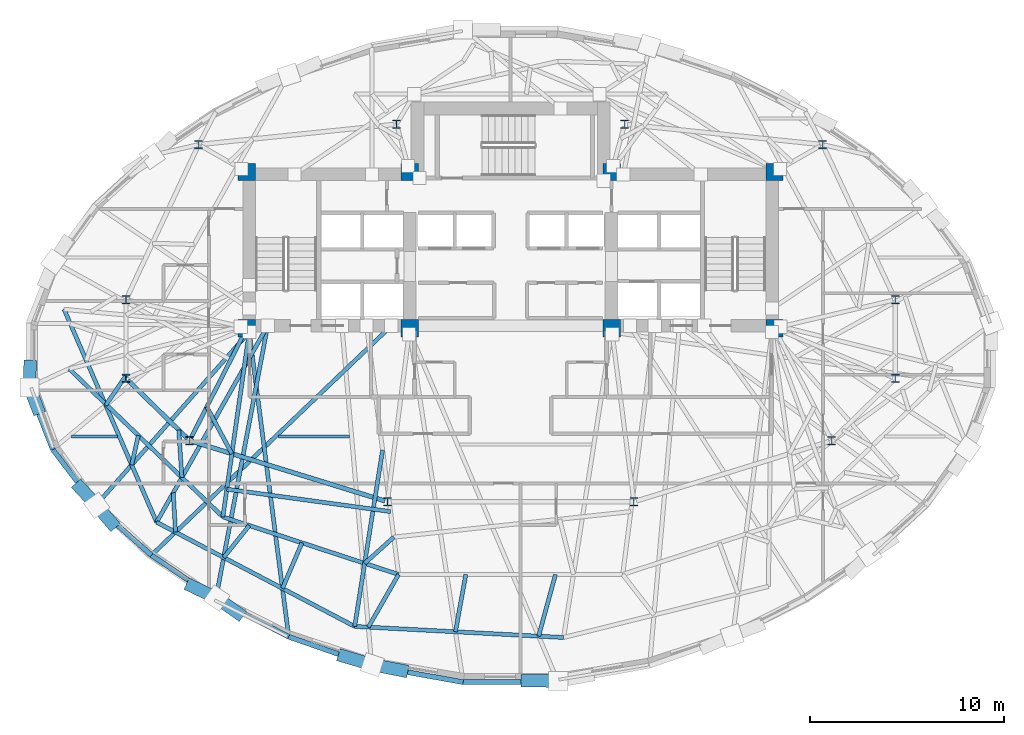
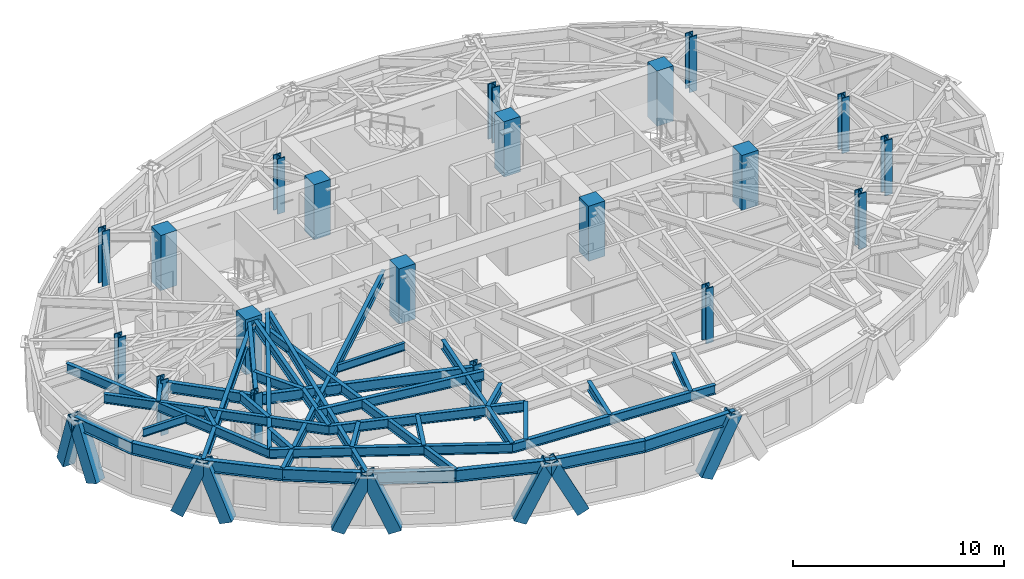
# One storey, part 1 of 14: 37 beams, 20 columns, 9 members.
"""IFC4 building model written with IfcOpenShell, lengths in metres."""

from ifc_helpers import new_model, si_unit, direction, frame, origin, origin_2d, place, context, subcontext, project, spatial, rectangle, hollow_rectangle, i_section, extrude, material, material_profile, profile_set, type_object, element, save


model = new_model("IFC4")

# Units and contexts
model_context = context("Model", 3, precision=1e-05, world=origin(), true_north=direction((0.0, 1.0)))
body_context = subcontext(model_context, "Body", "Model", "MODEL_VIEW")
ifc_project = project(units=[si_unit("LENGTHUNIT", "METRE"), si_unit("AREAUNIT", "SQUARE_METRE"), si_unit("VOLUMEUNIT", "CUBIC_METRE"), si_unit("PLANEANGLEUNIT", "RADIAN"), si_unit("MASSUNIT", "GRAM", prefix="KILO")], contexts=[model_context])

# Site, building, storey
site_placement = place(None, origin())
site = spatial("IfcSite", under=ifc_project, at=site_placement, CompositionType="ELEMENT")
building_placement = place(site_placement, origin())
building = spatial("IfcBuilding", under=site, at=building_placement, Name="Keldmark Tower", CompositionType="ELEMENT")
storey_placement = place(building_placement, frame((0.0, 0.0, 172.60009765625)))
storey = spatial("IfcBuildingStorey", under=building, at=storey_placement, Name="L47", CompositionType="ELEMENT", Elevation=172.60009765625)

# Columns
ifc_material_1 = material(Name="Concrete C50/60", Category="concrete")
ifc_material_profile_1 = material_profile(ifc_material_1, rectangle(XDim=0.89990234375, YDim=0.89990234375, at=origin_2d()), Name="RC900X900")
ifc_profile_set_1 = profile_set([ifc_material_profile_1], Name="Concrete C50/60")
column_type_1 = type_object("IfcColumnType", Name="Core Boundary Column RC900", PredefinedType="COLUMN", material=ifc_profile_set_1)
for number, where, z_axis, x_axis, name in (
    (1, (-13.60009765625, 1.39990234375, 0.0), (0.0, 0.0, 1.0), (1.0, 0.0, 0.0), "L47 Core Boundary Column CC-W1"),
    (2, (-13.60009765625, 9.449951171875, 0.0), (0.0, 0.0, 1.0), (1.0, 0.0, 0.0), "L47 Core Boundary Column CC-W2"),
    (3, (-5.199951171875, 1.39990234375, 0.0), (0.0, 0.0, 1.0), (1.0, 0.0, 0.0), "L47 Core Boundary Column CC-W3"),
    (4, (-5.199951171875, 9.449951171875, 0.0), (0.0, 0.0, 1.0), (1.0, 0.0, 0.0), "L47 Core Boundary Column CC-W4"),
    (5, (5.199951171875, 1.39990234375, 0.0), (0.0, 0.0, 1.0), (1.0, 0.0, 0.0), "L47 Core Boundary Column CC-E1"),
    (6, (5.199951171875, 9.449951171875, 0.0), (0.0, 0.0, 1.0), (1.0, 0.0, 0.0), "L47 Core Boundary Column CC-E2"),
    (7, (13.60009765625, 1.39990234375, 0.0), (0.0, 0.0, 1.0), (1.0, 0.0, 0.0), "L47 Core Boundary Column CC-E3"),
    (8, (13.60009765625, 9.449951171875, 0.0), (0.0, 0.0, 1.0), (1.0, 0.0, 0.0), "L47 Core Boundary Column CC-E4"),
):
    element("IfcColumn", number, at=place(storey_placement, frame(where, z_axis=z_axis, x_axis=x_axis)), inside=storey, type_object=column_type_1, Name=name, PredefinedType="COLUMN", context=body_context, shape_type="SweptSolid", body=[
        extrude(rectangle(XDim=0.89990234375, YDim=0.89990234375, at=origin_2d()), origin(), (0.0, 0.0, 1.0), 3.199951171875),
    ])
ifc_material_2 = material(Name="Steel ASTM A992 Grade 50", Category="steel")
ifc_material_profile_2 = material_profile(ifc_material_2, i_section(OverallWidth=0.412109375, OverallDepth=0.43505859375, WebThickness=0.035888671875, FlangeThickness=0.057373046875, at=origin_2d()), Name="W14X311")
ifc_profile_set_2 = profile_set([ifc_material_profile_2], Name="Steel ASTM A992 Grade 50")
column_type_2 = type_object("IfcColumnType", Name="Tower Gravity Column W14X311", PredefinedType="COLUMN", material=ifc_profile_set_2)
for number, where, z_axis, x_axis, name in (
    (9, (19.828369140625, 2.869140625, 0.0), (0.0, 0.0, 1.0), (1.0, 0.0, 0.0), "L47 Tower Gravity Column TC-E1"),
    (10, (16.08154296875, 10.861083984375, 0.0), (0.0, 0.0, 1.0), (1.0, 0.0, 0.0), "L47 Tower Gravity Column TC-E4"),
    (11, (5.880126953125, 11.915283203125, 0.0), (0.0, 0.0, 1.0), (1.0, 0.0, 0.0), "L47 Tower Gravity Column TC-N2"),
    (12, (-5.880126953125, 11.915283203125, 0.0), (0.0, 0.0, 1.0), (1.0, 0.0, 0.0), "L47 Tower Gravity Column TC-N1"),
    (13, (-16.08154296875, 10.861083984375, 0.0), (0.0, 0.0, 1.0), (1.0, 0.0, 0.0), "L47 Tower Gravity Column TC-W4"),
    (14, (-19.828369140625, 2.869140625, 0.0), (0.0, 0.0, 1.0), (1.0, 0.0, 0.0), "L47 Tower Gravity Column TC-W1"),
    (15, (-19.828369140625, -1.189208984375, 0.0), (0.0, 0.0, 1.0), (1.0, 0.0, 0.0), "L47 Tower Gravity Column TC-W5"),
    (16, (-16.546630859375, -4.3984375, 0.0), (0.0, 0.0, 1.0), (1.0, 0.0, 0.0), "L47 Tower Gravity Column TC-W2"),
    (17, (-6.351318359375, -7.546142578125, 0.0), (0.0, 0.0, 1.0), (1.0, 0.0, 0.0), "L47 Tower Gravity Column TC-W3"),
    (18, (6.351318359375, -7.546142578125, 0.0), (0.0, 0.0, 1.0), (1.0, 0.0, 0.0), "L47 Tower Gravity Column TC-E3"),
    (19, (16.546630859375, -4.3984375, 0.0), (0.0, 0.0, 1.0), (1.0, 0.0, 0.0), "L47 Tower Gravity Column TC-E2"),
    (20, (19.828369140625, -1.189208984375, 0.0), (0.0, 0.0, 1.0), (1.0, 0.0, 0.0), "L47 Tower Gravity Column TC-E5"),
):
    element("IfcColumn", number, at=place(storey_placement, frame(where, z_axis=z_axis, x_axis=x_axis)), inside=storey, type_object=column_type_2, Name=name, PredefinedType="COLUMN", context=body_context, shape_type="SweptSolid", body=[
        extrude(i_section(OverallWidth=0.412109375, OverallDepth=0.43505859375, WebThickness=0.035888671875, FlangeThickness=0.057373046875, at=origin_2d()), origin(), (0.0, 0.0, 1.0), 3.199951171875),
    ])

# Beams
ifc_material_3 = material(Name="Steel ASTM A992 Grade 50", Category="steel")
ifc_material_profile_3 = material_profile(ifc_material_3, i_section(OverallWidth=0.153076171875, OverallDepth=0.455078125, WebThickness=0.008056640625, FlangeThickness=0.01318359375, at=origin_2d()), Name="W18X40")
ifc_profile_set_3 = profile_set([ifc_material_profile_3], Name="Steel ASTM A992 Grade 50")
beam_type_1 = type_object("IfcBeamType", Name="Composite Floor Joist W18X40", PredefinedType="JOIST", material=ifc_profile_set_3)
beam_1_placement = place(storey_placement, frame((-22.643798828125, -4.179931640625, 2.79248046875), z_axis=(1.0, 0.0, 0.0), x_axis=(0.0, 1.0, 0.0)))
element("IfcBeam", 21, at=beam_1_placement, inside=storey, type_object=beam_type_1, Name="L47 Composite Floor Joist J01", PredefinedType="JOIST", context=body_context, shape_type="SweptSolid", body=[
    extrude(i_section(OverallWidth=0.153076171875, OverallDepth=0.455078125, WebThickness=0.008056640625, FlangeThickness=0.01318359375, at=origin_2d()), origin(), (0.0, 0.0, 1.0), 2.36669921875),
])
beam_2_placement = place(storey_placement, frame((-11.974365234375, -4.179931640625, 2.79248046875), z_axis=(1.0, 0.0, 0.0), x_axis=(0.0, 1.0, 0.0)))
element("IfcBeam", 22, at=beam_2_placement, inside=storey, type_object=beam_type_1, Name="L47 Composite Floor Joist J02", PredefinedType="JOIST", context=body_context, shape_type="SweptSolid", body=[
    extrude(i_section(OverallWidth=0.153076171875, OverallDepth=0.455078125, WebThickness=0.008056640625, FlangeThickness=0.01318359375, at=origin_2d()), origin(), (0.0, 0.0, 1.0), 3.679443359375),
])

# Members
ifc_material_4 = material(Name="Steel ASTM A572 Grade 50", Category="steel")
ifc_material_profile_4 = material_profile(ifc_material_4, hollow_rectangle(XDim=0.64990234375, YDim=0.64990234375, WallThickness=0.0400390625, at=origin_2d()), Name="BOX650X650X40")
ifc_profile_set_4 = profile_set([ifc_material_profile_4], Name="Steel ASTM A572 Grade 50")
member_type = type_object("IfcMemberType", Name="Diagrid Zone 3 Brace BOX650X650X40", PredefinedType="BRACE", material=ifc_profile_set_4)
member_1_placement = place(storey_placement, frame((-24.7734375, -0.55859375, -0.260009765625), z_axis=(-0.006708401649, -0.330534616012, 0.943770027584), x_axis=(0.999794107713, -0.020291431262, 0.0)))
element("IfcMember", 23, at=member_1_placement, inside=storey, type_object=member_type, Name="L47 Perimeter Diagrid Brace 08B", PredefinedType="BRACE", context=body_context, shape_type="SweptSolid", body=[
    extrude(hollow_rectangle(XDim=0.64990234375, YDim=0.64990234375, WallThickness=0.0400390625, at=origin_2d()), origin(), (0.0, 0.0, 1.0), 3.34814453125),
])
member_2_placement = place(storey_placement, frame((-24.38427734375, -2.7216796875, -0.260009765625), z_axis=(-0.122475110806, 0.31781056333, 0.940210770556), x_axis=(-0.933109034576, -0.359593561667, 0.0)))
element("IfcMember", 24, at=member_2_placement, inside=storey, type_object=member_type, Name="L47 Perimeter Diagrid Brace 09A", PredefinedType="BRACE", context=body_context, shape_type="SweptSolid", body=[
    extrude(hollow_rectangle(XDim=0.64990234375, YDim=0.64990234375, WallThickness=0.0400390625, at=origin_2d()), origin(), (0.0, 0.0, 1.0), 3.36083984375),
])
member_3_placement = place(storey_placement, frame((-22.2041015625, -6.812744140625, -0.260009765625), z_axis=(0.253036610594, -0.271546235072, 0.928566161303), x_axis=(0.731601387091, 0.681732653176, 0.0)))
element("IfcMember", 25, at=member_3_placement, inside=storey, type_object=member_type, Name="L47 Perimeter Diagrid Brace 09B", PredefinedType="BRACE", context=body_context, shape_type="SweptSolid", body=[
    extrude(hollow_rectangle(XDim=0.64990234375, YDim=0.64990234375, WallThickness=0.0400390625, at=origin_2d()), origin(), (0.0, 0.0, 1.0), 3.403076171875),
])
member_4_placement = place(storey_placement, frame((-20.5615234375, -8.652099609375, -0.260009765625), z_axis=(-0.232148107129, 0.273543886406, 0.933424340033), x_axis=(-0.762440016242, -0.647058901208, 0.0)))
element("IfcMember", 26, at=member_4_placement, inside=storey, type_object=member_type, Name="L47 Perimeter Diagrid Brace 10A", PredefinedType="BRACE", context=body_context, shape_type="SweptSolid", body=[
    extrude(hollow_rectangle(XDim=0.64990234375, YDim=0.64990234375, WallThickness=0.0400390625, at=origin_2d()), origin(), (0.0, 0.0, 1.0), 3.38525390625),
])
member_5_placement = place(storey_placement, frame((-16.439697265625, -11.896484375, -0.260009765625), z_axis=(0.371925685796, -0.178079482412, 0.911020846188), x_axis=(0.431854089726, 0.901943482258, 0.0)))
element("IfcMember", 27, at=member_5_placement, inside=storey, type_object=member_type, Name="L47 Perimeter Diagrid Brace 10B", PredefinedType="BRACE", context=body_context, shape_type="SweptSolid", body=[
    extrude(hollow_rectangle(XDim=0.64990234375, YDim=0.64990234375, WallThickness=0.0400390625, at=origin_2d()), origin(), (0.0, 0.0, 1.0), 3.468505859375),
])
member_6_placement = place(storey_placement, frame((-14.047607421875, -13.28759765625, -0.260009765625), z_axis=(-0.32283882666, 0.227293298805, 0.918756141922), x_axis=(-0.575680436379, -0.817674773471, 0.0)))
element("IfcMember", 28, at=member_6_placement, inside=storey, type_object=member_type, Name="L47 Perimeter Diagrid Brace 11A", PredefinedType="BRACE", context=body_context, shape_type="SweptSolid", body=[
    extrude(hollow_rectangle(XDim=0.64990234375, YDim=0.64990234375, WallThickness=0.0400390625, at=origin_2d()), origin(), (0.0, 0.0, 1.0), 3.439453125),
])
member_7_placement = place(storey_placement, frame((-8.598876953125, -15.513916015625, -0.260009765625), z_axis=(0.418052295261, -0.123357413805, 0.900008459342), x_axis=(0.283012656921, 0.959116174414, 0.0)))
element("IfcMember", 29, at=member_7_placement, inside=storey, type_object=member_type, Name="L47 Perimeter Diagrid Brace 11B", PredefinedType="BRACE", context=body_context, shape_type="SweptSolid", body=[
    extrude(hollow_rectangle(XDim=0.64990234375, YDim=0.64990234375, WallThickness=0.0400390625, at=origin_2d()), origin(), (0.0, 0.0, 1.0), 3.510986328125),
])
member_8_placement = place(storey_placement, frame((-5.583740234375, -16.249267578125, -0.260009765625), z_axis=(-0.440632554098, 0.086773479634, 0.893483808192), x_axis=(-0.193218363627, -0.981155779659, 0.0)))
element("IfcMember", 30, at=member_8_placement, inside=storey, type_object=member_type, Name="L47 Perimeter Diagrid Brace 12A", PredefinedType="BRACE", context=body_context, shape_type="SweptSolid", body=[
    extrude(hollow_rectangle(XDim=0.64990234375, YDim=0.64990234375, WallThickness=0.0400390625, at=origin_2d()), origin(), (0.0, 0.0, 1.0), 3.53662109375),
])
member_9_placement = place(storey_placement, frame((0.8212890625, -16.774658203125, -0.260009765625), z_axis=(0.459058198217, -0.004324262334, 0.888395672775), x_axis=(0.009419438558, 0.999955636105, 0.0)))
element("IfcMember", 31, at=member_9_placement, inside=storey, type_object=member_type, Name="L47 Perimeter Diagrid Brace 12B", PredefinedType="BRACE", context=body_context, shape_type="SweptSolid", body=[
    extrude(hollow_rectangle(XDim=0.64990234375, YDim=0.64990234375, WallThickness=0.0400390625, at=origin_2d()), origin(), (0.0, 0.0, 1.0), 3.556884765625),
])

# Beams
ifc_material_5 = material(Name="Steel ASTM A992 Grade 50", Category="steel")
ifc_material_profile_5 = material_profile(ifc_material_5, i_section(OverallWidth=0.22900390625, OverallDepth=0.612060546875, WebThickness=0.011962890625, FlangeThickness=0.01953125, at=origin_2d()), Name="W24X84")
ifc_profile_set_5 = profile_set([ifc_material_profile_5], Name="Steel ASTM A992 Grade 50")
beam_type_2 = type_object("IfcBeamType", Name="Primary Floor Girder W24X84", PredefinedType="BEAM", material=ifc_profile_set_5)
beam_3_placement = place(storey_placement, frame((-19.728271484375, -1.287109375, 2.7138671875), z_axis=(0.714964509815, -0.699160746684, 0.0), x_axis=(0.699160746684, 0.714964509815, 0.0)))
element("IfcBeam", 32, at=beam_3_placement, inside=storey, type_object=beam_type_2, Name="L47 Floor Ring Girder FG-R07", PredefinedType="BEAM", context=body_context, shape_type="SweptSolid", body=[
    extrude(i_section(OverallWidth=0.22900390625, OverallDepth=0.612060546875, WebThickness=0.011962890625, FlangeThickness=0.01953125, at=origin_2d()), origin(), (0.0, 0.0, 1.0), 4.31005859375),
])
beam_4_placement = place(storey_placement, frame((-16.412841796875, -4.439697265625, 2.7138671875), z_axis=(0.955494563145, -0.295008711398, 0.0), x_axis=(0.295008711398, 0.955494563145, 0.0)))
element("IfcBeam", 33, at=beam_4_placement, inside=storey, type_object=beam_type_2, Name="L47 Floor Ring Girder FG-R08", PredefinedType="BEAM", context=body_context, shape_type="SweptSolid", body=[
    extrude(i_section(OverallWidth=0.22900390625, OverallDepth=0.612060546875, WebThickness=0.011962890625, FlangeThickness=0.01953125, at=origin_2d()), origin(), (0.0, 0.0, 1.0), 10.39013671875),
])
ifc_material_6 = material(Name="Steel ASTM A992 Grade 50", Category="steel")
ifc_material_profile_6 = material_profile(ifc_material_6, i_section(OverallWidth=0.2099609375, OverallDepth=0.537109375, WebThickness=0.010986328125, FlangeThickness=0.017333984375, at=origin_2d()), Name="W21X68")
ifc_profile_set_6 = profile_set([ifc_material_profile_6], Name="Steel ASTM A992 Grade 50")
beam_type_3 = type_object("IfcBeamType", Name="Radial Tie Girder W21X68", PredefinedType="BEAM", material=ifc_profile_set_6)
beam_5_placement = place(storey_placement, frame((-16.4833984375, -4.273681640625, 2.75146484375), z_axis=(0.453036691775, 0.891491870914, 0.0), x_axis=(-0.891491870914, 0.453036691775, 0.0)))
element("IfcBeam", 34, at=beam_5_placement, inside=storey, type_object=beam_type_3, Name="L47 Floor Radial Girder FG-C08", PredefinedType="BEAM", context=body_context, shape_type="SweptSolid", body=[
    extrude(i_section(OverallWidth=0.2099609375, OverallDepth=0.537109375, WebThickness=0.010986328125, FlangeThickness=0.017333984375, at=origin_2d()), origin(), (0.0, 0.0, 1.0), 6.044189453125),
])
beam_6_placement = place(storey_placement, frame((-15.661865234375, -2.6572265625, 2.75146484375), z_axis=(0.472216463821, -0.881482621097, 0.0), x_axis=(0.881482621097, 0.472216463821, 0.0)))
element("IfcBeam", 35, at=beam_6_placement, inside=storey, type_object=beam_type_3, Name="L47 Framing Pin Header PH-004", PredefinedType="BEAM", context=body_context, shape_type="SweptSolid", body=[
    extrude(i_section(OverallWidth=0.2099609375, OverallDepth=0.537109375, WebThickness=0.010986328125, FlangeThickness=0.017333984375, at=origin_2d()), origin(), (0.0, 0.0, 1.0), 2.738037109375),
])
beam_7_placement = place(storey_placement, frame((-13.47509765625, 1.199951171875, 2.75146484375), z_axis=(-0.141130161361, -0.989991049229, 0.0), x_axis=(0.989991049229, -0.141130161361, 0.0)))
element("IfcBeam", 36, at=beam_7_placement, inside=storey, type_object=beam_type_3, Name="L47 Sub-Ring Step Girder STP1-M08", PredefinedType="BEAM", context=body_context, shape_type="SweptSolid", body=[
    extrude(i_section(OverallWidth=0.2099609375, OverallDepth=0.537109375, WebThickness=0.010986328125, FlangeThickness=0.017333984375, at=origin_2d()), origin(), (0.0, 0.0, 1.0), 9.625244140625),
])
beam_8_placement = place(storey_placement, frame((-14.629638671875, -6.8994140625, 2.75146484375), z_axis=(0.990763919451, -0.135598141264, 0.0), x_axis=(0.135598141264, 0.990763919451, 0.0)))
element("IfcBeam", 37, at=beam_8_placement, inside=storey, type_object=beam_type_3, Name="L47 Framing Pin Header PH-005", PredefinedType="BEAM", context=body_context, shape_type="SweptSolid", body=[
    extrude(i_section(OverallWidth=0.2099609375, OverallDepth=0.537109375, WebThickness=0.010986328125, FlangeThickness=0.017333984375, at=origin_2d()), origin(), (0.0, 0.0, 1.0), 8.514404296875),
])
beam_9_placement = place(storey_placement, frame((-22.755615234375, -0.697265625, 2.75146484375), z_axis=(0.720189182033, -0.693777732478, 0.0), x_axis=(0.693777732478, 0.720189182033, 0.0)))
element("IfcBeam", 38, at=beam_9_placement, inside=storey, type_object=beam_type_3, Name="L47 Perimeter Collector Ring Beam CRG1-M07", PredefinedType="BEAM", context=body_context, shape_type="SweptSolid", body=[
    extrude(i_section(OverallWidth=0.2099609375, OverallDepth=0.537109375, WebThickness=0.010986328125, FlangeThickness=0.017333984375, at=origin_2d()), origin(), (0.0, 0.0, 1.0), 11.0),
])
beam_10_placement = place(storey_placement, frame((-14.83349609375, -8.328857421875, 2.75146484375), z_axis=(0.950327843465, -0.311250686641, 0.0), x_axis=(0.311250686641, 0.950327843465, 0.0)))
element("IfcBeam", 39, at=beam_10_placement, inside=storey, type_object=beam_type_3, Name="L47 Perimeter Collector Ring Beam CRG1-M08", PredefinedType="BEAM", context=body_context, shape_type="SweptSolid", body=[
    extrude(i_section(OverallWidth=0.2099609375, OverallDepth=0.537109375, WebThickness=0.010986328125, FlangeThickness=0.017333984375, at=origin_2d()), origin(), (0.0, 0.0, 1.0), 9.529541015625),
])
beam_11_placement = place(storey_placement, frame((-17.10888671875, -3.8486328125, 2.75146484375), z_axis=(0.06701467954, -0.997751989588, 0.0), x_axis=(0.997751989588, 0.06701467954, 0.0)))
element("IfcBeam", 40, at=beam_11_placement, inside=storey, type_object=beam_type_3, Name="L47 Framing Pin Header PH-010", PredefinedType="BEAM", context=body_context, shape_type="SweptSolid", body=[
    extrude(i_section(OverallWidth=0.2099609375, OverallDepth=0.537109375, WebThickness=0.010986328125, FlangeThickness=0.017333984375, at=origin_2d()), origin(), (0.0, 0.0, 1.0), 2.451904296875),
])
beam_12_placement = place(storey_placement, frame((-12.52490234375, 1.52490234375, 2.75146484375), z_axis=(-0.492042734622, -0.870571046673, 0.0), x_axis=(0.870571046673, -0.492042734622, 0.0)))
element("IfcBeam", 41, at=beam_12_placement, inside=storey, type_object=beam_type_3, Name="L47 Sub-Ring Step Girder STP2-M08", PredefinedType="BEAM", context=body_context, shape_type="SweptSolid", body=[
    extrude(i_section(OverallWidth=0.2099609375, OverallDepth=0.537109375, WebThickness=0.010986328125, FlangeThickness=0.017333984375, at=origin_2d()), origin(), (0.0, 0.0, 1.0), 11.63330078125),
])
beam_13_placement = place(storey_placement, frame((-6.0244140625, -9.3720703125, 2.75146484375), z_axis=(-0.743258065521, -0.669004819144, 0.0), x_axis=(0.669004819144, -0.743258065521, 0.0)))
element("IfcBeam", 42, at=beam_13_placement, inside=storey, type_object=beam_type_3, Name="L47 Framing Pin Header PH-011", PredefinedType="BEAM", context=body_context, shape_type="SweptSolid", body=[
    extrude(i_section(OverallWidth=0.2099609375, OverallDepth=0.537109375, WebThickness=0.010986328125, FlangeThickness=0.017333984375, at=origin_2d()), origin(), (0.0, 0.0, 1.0), 2.018798828125),
])
beam_14_placement = place(storey_placement, frame((-6.601318359375, -4.885009765625, 2.75146484375), z_axis=(-0.156266379545, -0.987714948061, 0.0), x_axis=(0.987714948061, -0.156266379545, 0.0)))
element("IfcBeam", 43, at=beam_14_placement, inside=storey, type_object=beam_type_3, Name="L47 Sub-Ring Step Girder STP2-M09", PredefinedType="BEAM", context=body_context, shape_type="SweptSolid", body=[
    extrude(i_section(OverallWidth=0.2099609375, OverallDepth=0.537109375, WebThickness=0.010986328125, FlangeThickness=0.017333984375, at=origin_2d()), origin(), (0.0, 0.0, 1.0), 9.2021484375),
])
beam_15_placement = place(storey_placement, frame((-23.019287109375, 2.369384765625, 2.75146484375), z_axis=(0.398708949709, -0.917077517673, 0.0), x_axis=(0.917077517673, 0.398708949709, 0.0)))
element("IfcBeam", 44, at=beam_15_placement, inside=storey, type_object=beam_type_3, Name="L47 Perimeter Collector Ring Beam CRG2-M07", PredefinedType="BEAM", context=body_context, shape_type="SweptSolid", body=[
    extrude(i_section(OverallWidth=0.2099609375, OverallDepth=0.537109375, WebThickness=0.010986328125, FlangeThickness=0.017333984375, at=origin_2d()), origin(), (0.0, 0.0, 1.0), 11.96435546875),
])
beam_16_placement = place(storey_placement, frame((-18.2490234375, -8.602783203125, 2.75146484375), z_axis=(0.884996708645, -0.465597278436, 0.0), x_axis=(0.465597278436, 0.884996708645, 0.0)))
element("IfcBeam", 45, at=beam_16_placement, inside=storey, type_object=beam_type_3, Name="L47 Perimeter Collector Ring Beam CRG2-M08", PredefinedType="BEAM", context=body_context, shape_type="SweptSolid", body=[
    extrude(i_section(OverallWidth=0.2099609375, OverallDepth=0.537109375, WebThickness=0.010986328125, FlangeThickness=0.017333984375, at=origin_2d()), origin(), (0.0, 0.0, 1.0), 11.536376953125),
])
beam_17_placement = place(storey_placement, frame((-8.039306640625, -13.97412109375, 2.75146484375), z_axis=(0.998597931438, -0.052935539365, 0.0), x_axis=(0.052935539365, 0.998597931438, 0.0)))
element("IfcBeam", 46, at=beam_17_placement, inside=storey, type_object=beam_type_3, Name="L47 Perimeter Collector Ring Beam CRG2-M09", PredefinedType="BEAM", context=body_context, shape_type="SweptSolid", body=[
    extrude(i_section(OverallWidth=0.2099609375, OverallDepth=0.537109375, WebThickness=0.010986328125, FlangeThickness=0.017333984375, at=origin_2d()), origin(), (0.0, 0.0, 1.0), 10.782958984375),
])
beam_18_placement = place(storey_placement, frame((-19.828369140625, -1.04931640625, 2.75146484375), z_axis=(-0.565556648951, -0.824709449944, 0.0), x_axis=(0.824709449944, -0.565556648951, 0.0)))
element("IfcBeam", 47, at=beam_18_placement, inside=storey, type_object=beam_type_3, Name="L47 Framing Pin Header PH-028", PredefinedType="BEAM", context=body_context, shape_type="SweptSolid", body=[
    extrude(i_section(OverallWidth=0.2099609375, OverallDepth=0.537109375, WebThickness=0.010986328125, FlangeThickness=0.017333984375, at=origin_2d()), origin(), (0.0, 0.0, 1.0), 1.844482421875),
])
beam_19_placement = place(storey_placement, frame((-19.190673828125, -4.131591796875, 2.75146484375), z_axis=(-0.221322156078, -0.97520075022, 0.0), x_axis=(0.97520075022, -0.221322156078, 0.0)))
element("IfcBeam", 48, at=beam_19_placement, inside=storey, type_object=beam_type_3, Name="L47 Framing Pin Header PH-029", PredefinedType="BEAM", context=body_context, shape_type="SweptSolid", body=[
    extrude(i_section(OverallWidth=0.2099609375, OverallDepth=0.537109375, WebThickness=0.010986328125, FlangeThickness=0.017333984375, at=origin_2d()), origin(), (0.0, 0.0, 1.0), 1.55322265625),
])
beam_20_placement = place(storey_placement, frame((-13.47509765625, 1.199951171875, 2.75146484375), z_axis=(-0.662768132373, -0.74882468089, 0.0), x_axis=(0.74882468089, -0.662768132373, 0.0)))
element("IfcBeam", 49, at=beam_20_placement, inside=storey, type_object=beam_type_3, Name="L47 Perimeter Radial Tie Girder RT-19", PredefinedType="BEAM", context=body_context, shape_type="SweptSolid", body=[
    extrude(i_section(OverallWidth=0.2099609375, OverallDepth=0.537109375, WebThickness=0.010986328125, FlangeThickness=0.017333984375, at=origin_2d()), origin(), (0.0, 0.0, 1.0), 11.957763671875),
])
beam_21_placement = place(storey_placement, frame((-17.390380859375, -7.083740234375, 2.75146484375), z_axis=(0.056400464742, -0.998408226918, 0.0), x_axis=(0.998408226918, 0.056400464742, 0.0)))
element("IfcBeam", 50, at=beam_21_placement, inside=storey, type_object=beam_type_3, Name="L47 Framing Pin Header PH-030", PredefinedType="BEAM", context=body_context, shape_type="SweptSolid", body=[
    extrude(i_section(OverallWidth=0.2099609375, OverallDepth=0.537109375, WebThickness=0.010986328125, FlangeThickness=0.017333984375, at=origin_2d()), origin(), (0.0, 0.0, 1.0), 2.034423828125),
])
beam_22_placement = place(storey_placement, frame((-6.14990234375, 1.52490234375, 2.75146484375), z_axis=(-0.72271095346, -0.691150401685, 0.0), x_axis=(0.691150401685, -0.72271095346, 0.0)))
element("IfcBeam", 51, at=beam_22_placement, inside=storey, type_object=beam_type_3, Name="L47 Perimeter Radial Tie Girder RT-20", PredefinedType="BEAM", context=body_context, shape_type="SweptSolid", body=[
    extrude(i_section(OverallWidth=0.2099609375, OverallDepth=0.537109375, WebThickness=0.010986328125, FlangeThickness=0.017333984375, at=origin_2d()), origin(), (0.0, 0.0, 1.0), 17.111083984375),
])
beam_23_placement = place(storey_placement, frame((-13.47509765625, -8.773681640625, 2.75146484375), z_axis=(-0.624200898406, -0.781263872472, 0.0), x_axis=(0.781263872472, -0.624200898406, 0.0)))
element("IfcBeam", 52, at=beam_23_placement, inside=storey, type_object=beam_type_3, Name="L47 Framing Pin Header PH-031", PredefinedType="BEAM", context=body_context, shape_type="SweptSolid", body=[
    extrude(i_section(OverallWidth=0.2099609375, OverallDepth=0.537109375, WebThickness=0.010986328125, FlangeThickness=0.017333984375, at=origin_2d()), origin(), (0.0, 0.0, 1.0), 2.109375),
])
beam_24_placement = place(storey_placement, frame((-12.52490234375, 1.52490234375, 2.75146484375), z_axis=(-0.186423827574, -0.982469417597, 0.0), x_axis=(0.982469417597, -0.186423827574, 0.0)))
element("IfcBeam", 53, at=beam_24_placement, inside=storey, type_object=beam_type_3, Name="L47 Perimeter Radial Tie Girder RT-21", PredefinedType="BEAM", context=body_context, shape_type="SweptSolid", body=[
    extrude(i_section(OverallWidth=0.2099609375, OverallDepth=0.537109375, WebThickness=0.010986328125, FlangeThickness=0.017333984375, at=origin_2d()), origin(), (0.0, 0.0, 1.0), 14.328369140625),
])
beam_25_placement = place(storey_placement, frame((-10.75830078125, -9.66357421875, 2.75146484375), z_axis=(-0.392397761116, -0.919795627882, 0.0), x_axis=(0.919795627882, -0.392397761116, 0.0)))
element("IfcBeam", 54, at=beam_25_placement, inside=storey, type_object=beam_type_3, Name="L47 Framing Pin Header PH-032", PredefinedType="BEAM", context=body_context, shape_type="SweptSolid", body=[
    extrude(i_section(OverallWidth=0.2099609375, OverallDepth=0.537109375, WebThickness=0.010986328125, FlangeThickness=0.017333984375, at=origin_2d()), origin(), (0.0, 0.0, 1.0), 2.55712890625),
])
beam_26_placement = place(storey_placement, frame((-13.47509765625, 1.199951171875, 2.75146484375), z_axis=(0.128569468775, -0.991700505041, 0.0), x_axis=(0.991700505041, 0.128569468775, 0.0)))
element("IfcBeam", 55, at=beam_26_placement, inside=storey, type_object=beam_type_3, Name="L47 Perimeter Radial Tie Girder RT-22", PredefinedType="BEAM", context=body_context, shape_type="SweptSolid", body=[
    extrude(i_section(OverallWidth=0.2099609375, OverallDepth=0.537109375, WebThickness=0.010986328125, FlangeThickness=0.017333984375, at=origin_2d()), origin(), (0.0, 0.0, 1.0), 15.838623046875),
])
beam_27_placement = place(storey_placement, frame((-5.77734375, -11.294921875, 2.75146484375), z_axis=(-0.497238569756, -0.867613856936, 0.0), x_axis=(0.867613856936, -0.497238569756, 0.0)))
element("IfcBeam", 56, at=beam_27_placement, inside=storey, type_object=beam_type_3, Name="L47 Framing Pin Header PH-033", PredefinedType="BEAM", context=body_context, shape_type="SweptSolid", body=[
    extrude(i_section(OverallWidth=0.2099609375, OverallDepth=0.537109375, WebThickness=0.010986328125, FlangeThickness=0.017333984375, at=origin_2d()), origin(), (0.0, 0.0, 1.0), 3.131103515625),
])
beam_28_placement = place(storey_placement, frame((-2.310791015625, -11.294921875, 2.75146484375), z_axis=(-0.17775471553, -0.984074824953, 0.0), x_axis=(0.984074824953, -0.17775471553, 0.0)))
element("IfcBeam", 57, at=beam_28_placement, inside=storey, type_object=beam_type_3, Name="L47 Framing Pin Header PH-034", PredefinedType="BEAM", context=body_context, shape_type="SweptSolid", body=[
    extrude(i_section(OverallWidth=0.2099609375, OverallDepth=0.537109375, WebThickness=0.010986328125, FlangeThickness=0.017333984375, at=origin_2d()), origin(), (0.0, 0.0, 1.0), 3.00244140625),
])
beam_29_placement = place(storey_placement, frame((2.310791015625, -11.294921875, 2.75146484375), z_axis=(-0.263223882657, -0.96473477578, 0.0), x_axis=(0.96473477578, -0.263223882657, 0.0)))
element("IfcBeam", 58, at=beam_29_placement, inside=storey, type_object=beam_type_3, Name="L47 Framing Pin Header PH-035", PredefinedType="BEAM", context=body_context, shape_type="SweptSolid", body=[
    extrude(i_section(OverallWidth=0.2099609375, OverallDepth=0.537109375, WebThickness=0.010986328125, FlangeThickness=0.017333984375, at=origin_2d()), origin(), (0.0, 0.0, 1.0), 3.298095703125),
])
ifc_material_7 = material(Name="Steel ASTM A992 Grade 50", Category="steel")
ifc_material_profile_7 = material_profile(ifc_material_7, i_section(OverallWidth=0.256103515625, OverallDepth=0.693115234375, WebThickness=0.014404296875, FlangeThickness=0.023681640625, at=origin_2d()), Name="W27X114")
ifc_profile_set_7 = profile_set([ifc_material_profile_7], Name="Steel ASTM A992 Grade 50")
beam_type_4 = type_object("IfcBeamType", Name="Spandrel Ring Beam W27X114", PredefinedType="SPANDREL", material=ifc_profile_set_7)
beam_30_placement = place(storey_placement, frame((-24.855712890625, -1.659423828125, 2.67333984375), z_axis=(0.365421225195, -0.930842268151, 0.0), x_axis=(0.930842268151, 0.365421225195, 0.0)))
element("IfcBeam", 59, at=beam_30_placement, inside=storey, type_object=beam_type_4, Name="L47 Perimeter Spandrel Ring Beam SRB-17", PredefinedType="SPANDREL", context=body_context, shape_type="SweptSolid", body=[
    extrude(i_section(OverallWidth=0.256103515625, OverallDepth=0.693115234375, WebThickness=0.014404296875, FlangeThickness=0.023681640625, at=origin_2d()), origin(), (0.0, 0.0, 1.0), 3.431396484375),
])
beam_31_placement = place(storey_placement, frame((-23.601806640625, -4.853515625, 2.67333984375), z_axis=(0.604517065871, -0.796592189939, 0.0), x_axis=(0.796592189939, 0.604517065871, 0.0)))
element("IfcBeam", 60, at=beam_31_placement, inside=storey, type_object=beam_type_4, Name="L47 Perimeter Spandrel Ring Beam SRB-18", PredefinedType="SPANDREL", context=body_context, shape_type="SweptSolid", body=[
    extrude(i_section(OverallWidth=0.256103515625, OverallDepth=0.693115234375, WebThickness=0.014404296875, FlangeThickness=0.023681640625, at=origin_2d()), origin(), (0.0, 0.0, 1.0), 3.6416015625),
])
beam_32_placement = place(storey_placement, frame((-21.400390625, -7.75439453125, 2.67333984375), z_axis=(0.749530401757, -0.661969921403, 0.0), x_axis=(0.661969921403, 0.749530401757, 0.0)))
element("IfcBeam", 61, at=beam_32_placement, inside=storey, type_object=beam_type_4, Name="L47 Perimeter Spandrel Ring Beam SRB-19", PredefinedType="SPANDREL", context=body_context, shape_type="SweptSolid", body=[
    extrude(i_section(OverallWidth=0.256103515625, OverallDepth=0.693115234375, WebThickness=0.014404296875, FlangeThickness=0.023681640625, at=origin_2d()), origin(), (0.0, 0.0, 1.0), 3.847900390625),
])
beam_33_placement = place(storey_placement, frame((-18.516357421875, -10.301513671875, 2.67333984375), z_axis=(0.827746348969, -0.561102469937, 0.0), x_axis=(0.561102469937, 0.827746348969, 0.0)))
element("IfcBeam", 62, at=beam_33_placement, inside=storey, type_object=beam_type_4, Name="L47 Perimeter Spandrel Ring Beam SRB-20", PredefinedType="SPANDREL", context=body_context, shape_type="SweptSolid", body=[
    extrude(i_section(OverallWidth=0.256103515625, OverallDepth=0.693115234375, WebThickness=0.014404296875, FlangeThickness=0.023681640625, at=origin_2d()), origin(), (0.0, 0.0, 1.0), 4.01123046875),
])
beam_34_placement = place(storey_placement, frame((-15.196044921875, -12.55224609375, 2.67333984375), z_axis=(0.887094083226, -0.461588656171, 0.0), x_axis=(0.461588656171, 0.887094083226, 0.0)))
element("IfcBeam", 63, at=beam_34_placement, inside=storey, type_object=beam_type_4, Name="L47 Perimeter Spandrel Ring Beam SRB-21", PredefinedType="SPANDREL", context=body_context, shape_type="SweptSolid", body=[
    extrude(i_section(OverallWidth=0.256103515625, OverallDepth=0.693115234375, WebThickness=0.014404296875, FlangeThickness=0.023681640625, at=origin_2d()), origin(), (0.0, 0.0, 1.0), 4.235595703125),
])
beam_35_placement = place(storey_placement, frame((-11.438720703125, -14.50732421875, 2.67333984375), z_axis=(0.944223944927, -0.329304026434, 0.0), x_axis=(0.329304026434, 0.944223944927, 0.0)))
element("IfcBeam", 64, at=beam_35_placement, inside=storey, type_object=beam_type_4, Name="L47 Perimeter Spandrel Ring Beam SRB-22", PredefinedType="SPANDREL", context=body_context, shape_type="SweptSolid", body=[
    extrude(i_section(OverallWidth=0.256103515625, OverallDepth=0.693115234375, WebThickness=0.014404296875, FlangeThickness=0.023681640625, at=origin_2d()), origin(), (0.0, 0.0, 1.0), 4.531982421875),
])
beam_36_placement = place(storey_placement, frame((-7.159423828125, -15.999755859375, 2.67333984375), z_axis=(0.984117817758, -0.177516536616, 0.0), x_axis=(0.177516536616, 0.984117817758, 0.0)))
element("IfcBeam", 65, at=beam_36_placement, inside=storey, type_object=beam_type_4, Name="L47 Perimeter Spandrel Ring Beam SRB-23", PredefinedType="SPANDREL", context=body_context, shape_type="SweptSolid", body=[
    extrude(i_section(OverallWidth=0.256103515625, OverallDepth=0.693115234375, WebThickness=0.014404296875, FlangeThickness=0.023681640625, at=origin_2d()), origin(), (0.0, 0.0, 1.0), 4.787353515625),
])
beam_37_placement = place(storey_placement, frame((-2.447998046875, -16.849609375, 2.67333984375), z_axis=(1.0, 0.0, 0.0), x_axis=(0.0, 1.0, 0.0)))
element("IfcBeam", 66, at=beam_37_placement, inside=storey, type_object=beam_type_4, Name="L47 Perimeter Spandrel Ring Beam SRB-24", PredefinedType="SPANDREL", context=body_context, shape_type="SweptSolid", body=[
    extrude(i_section(OverallWidth=0.256103515625, OverallDepth=0.693115234375, WebThickness=0.014404296875, FlangeThickness=0.023681640625, at=origin_2d()), origin(), (0.0, 0.0, 1.0), 4.89599609375),
])

save(model, "model.ifc")
